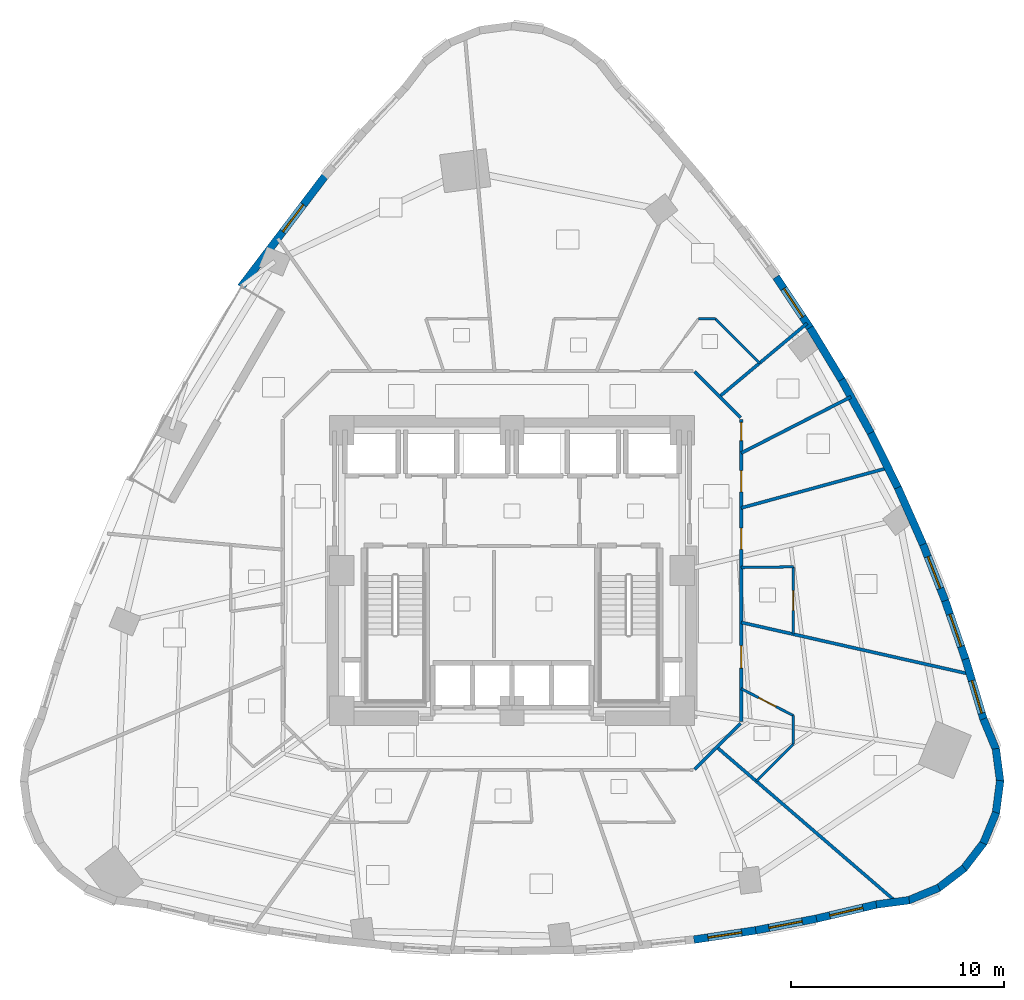
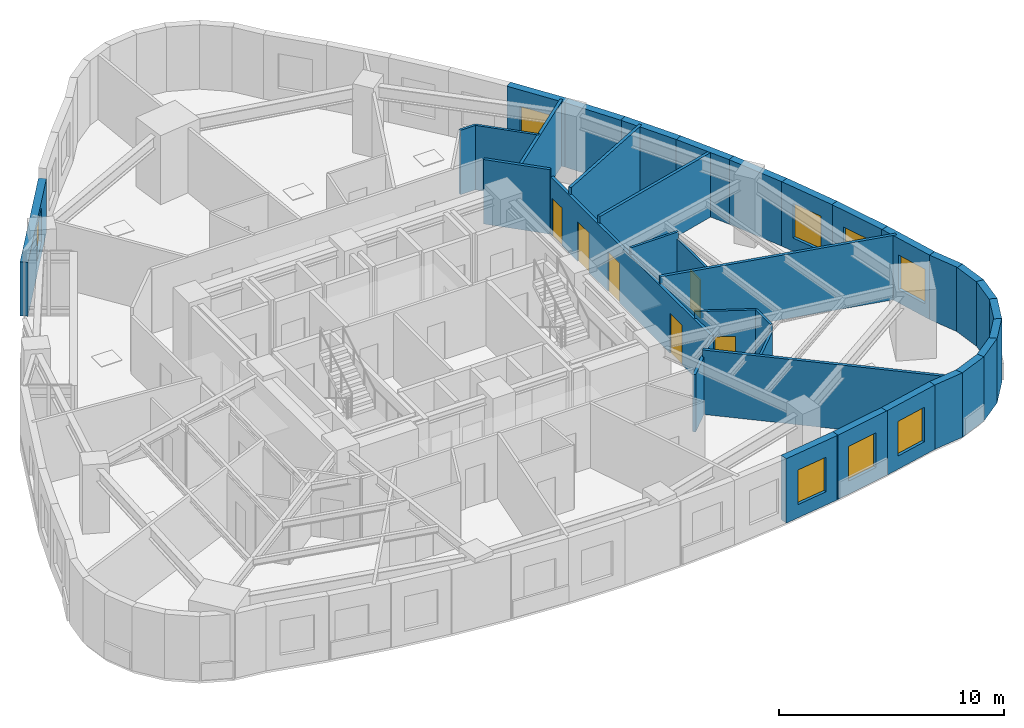
# One storey, part 8 of 12: 35 walls, 8 windows, 6 doors, 14 openings.
"""IFC4 building model written with IfcOpenShell, lengths in metres."""

from ifc_helpers import new_model, si_unit, direction, frame, frame_2d, origin, place, context, subcontext, project, spatial, rectangle, extrude, material, layer, layer_set, type_object, element, fill, save


model = new_model("IFC4")

# Units and contexts
model_context = context("Model", 3, precision=1e-05, world=origin(), true_north=direction((0.0, 1.0)))
body_context = subcontext(model_context, "Body", "Model", "MODEL_VIEW")
ifc_project = project(units=[si_unit("LENGTHUNIT", "METRE"), si_unit("AREAUNIT", "SQUARE_METRE"), si_unit("VOLUMEUNIT", "CUBIC_METRE"), si_unit("PLANEANGLEUNIT", "RADIAN"), si_unit("MASSUNIT", "GRAM", prefix="KILO")], contexts=[model_context])

# Site, building, storey
site_placement = place(None, origin())
site = spatial("IfcSite", under=ifc_project, at=site_placement, CompositionType="ELEMENT")
building_placement = place(site_placement, origin())
building = spatial("IfcBuilding", under=site, at=building_placement, Name="Ndelora Gate Hotel", CompositionType="ELEMENT")
storey_placement = place(building_placement, frame((0.0, 0.0, 38.0)))
storey = spatial("IfcBuildingStorey", under=building, at=storey_placement, Name="L08", CompositionType="ELEMENT", Elevation=38.0)

# Wall, opening, window
ifc_material_1 = material(Name="Clay Brick Masonry", Category="masonry")
ifc_layer_1 = layer(ifc_material_1, 0.360107421875)
ifc_layer_set_1 = layer_set([ifc_layer_1], Name="Clay Brick Masonry")
wall_type_1 = type_object("IfcWallType", Name="WL-BRICK-360", PredefinedType="SOLIDWALL", material=ifc_layer_set_1)
wall_1_placement = place(storey_placement, frame((-12.745361328125, 13.334228515625, 0.0), z_axis=(0.0, 0.0, 1.0), x_axis=(0.604405198851, 0.796677071091, 0.0)))
wall_1 = element("IfcWall", 1, at=wall_1_placement, inside=storey, type_object=wall_type_1, Name="L08 Tower Brick Pier-and-Spandrel Wall TWR-11", PredefinedType="SOLIDWALL", context=body_context, shape_type="SweptSolid", body=[
    extrude(rectangle(XDim=6.56591796875, YDim=0.360107421875, at=frame_2d((3.282958984375, 0.0))), origin(), (0.0, 0.0, 1.0), 2.929931640625),
])
opening_1_placement = place(wall_1_placement, frame((3.260009765625, 0.0, 0.719970703125)))
opening_1 = element("IfcOpeningElement", 2, at=opening_1_placement, cuts=wall_1, Name="Opening W01", PredefinedType="OPENING", context=body_context, shape_type="SweptSolid", body=[
    extrude(rectangle(XDim=1.60009765625, YDim=1.8798828125, at=frame_2d((0.800048828125, 0.93994140625))), frame((0.0, 0.18994140625, 0.0), z_axis=(0.0, -1.0, 0.0), x_axis=(1.0, 0.0, 0.0)), (0.0, 0.0, 1.0), 0.380126953125),
])
ifc_material_2 = material(Name="Insulated Low-E Double Glazing in Bronze Aluminium Frame", Category="aluminium")
window_type_1 = type_object("IfcWindowType", Name="WN-DEEP-1600", PartitioningType="SINGLE_PANEL", PredefinedType="WINDOW", material=ifc_material_2)
window_1_placement = place(opening_1_placement, origin())
window_1 = element("IfcWindow", 3, at=window_1_placement, inside=storey, type_object=window_type_1, Name="L08 Deep-Set Brick-Pier Window W01", OverallHeight=1.8798828125, OverallWidth=1.60009765625, PartitioningType="SINGLE_PANEL", PredefinedType="WINDOW", context=body_context, shape_type="SweptSolid", body=[
    extrude(rectangle(XDim=1.60009765625, YDim=1.8798828125, at=frame_2d((0.800048828125, 0.93994140625))), frame((0.0, 0.030029296875, 0.0), z_axis=(0.0, -1.0, 0.0), x_axis=(1.0, 0.0, 0.0)), (0.0, 0.0, 1.0), 0.06005859375),
])
fill(opening_1, window_1)

wall_2_placement = place(storey_placement, frame((11.460693359375, -16.92236328125, 0.0), z_axis=(0.0, 0.0, 1.0), x_axis=(-0.988982587095, -0.148031896641, 0.0)))
wall_2 = element("IfcWall", 4, at=wall_2_placement, inside=storey, type_object=wall_type_1, Name="L08 Tower Brick Pier-and-Spandrel Wall TWR-36", PredefinedType="SOLIDWALL", context=body_context, shape_type="SweptSolid", body=[
    extrude(rectangle(XDim=2.940673828125, YDim=0.360107421875, at=frame_2d((1.47021484375, 0.0))), origin(), (0.0, 0.0, 1.0), 3.5),
])
opening_2_placement = place(wall_2_placement, frame((0.67041015625, 0.0, 0.719970703125)))
opening_2 = element("IfcOpeningElement", 5, at=opening_2_placement, cuts=wall_2, Name="Opening W01", PredefinedType="OPENING", context=body_context, shape_type="SweptSolid", body=[
    extrude(rectangle(XDim=1.60009765625, YDim=1.8798828125, at=frame_2d((0.800048828125, 0.93994140625))), frame((0.0, 0.18994140625, 0.0), z_axis=(0.0, -1.0, 0.0), x_axis=(1.0, 0.0, 0.0)), (0.0, 0.0, 1.0), 0.380126953125),
])
window_2_placement = place(opening_2_placement, origin())
window_2 = element("IfcWindow", 6, at=window_2_placement, inside=storey, type_object=window_type_1, Name="L08 Deep-Set Brick-Pier Window W01", OverallHeight=1.8798828125, OverallWidth=1.60009765625, PartitioningType="SINGLE_PANEL", PredefinedType="WINDOW", context=body_context, shape_type="SweptSolid", body=[
    extrude(rectangle(XDim=1.60009765625, YDim=1.8798828125, at=frame_2d((0.800048828125, 0.93994140625))), frame((0.0, 0.030029296875, 0.0), z_axis=(0.0, -1.0, 0.0), x_axis=(1.0, 0.0, 0.0)), (0.0, 0.0, 1.0), 0.06005859375),
])
fill(opening_2, window_2)

wall_3_placement = place(storey_placement, frame((14.319580078125, -16.371337890625, 0.0), z_axis=(0.0, 0.0, 1.0), x_axis=(-0.981984682903, -0.188960531711, 0.0)))
wall_3 = element("IfcWall", 7, at=wall_3_placement, inside=storey, type_object=wall_type_1, Name="L08 Tower Brick Pier-and-Spandrel Wall TWR-37", PredefinedType="SOLIDWALL", context=body_context, shape_type="SweptSolid", body=[
    extrude(rectangle(XDim=2.96142578125, YDim=0.360107421875, at=frame_2d((1.480712890625, 0.0))), origin(), (0.0, 0.0, 1.0), 3.5),
])
opening_3_placement = place(wall_3_placement, frame((0.6806640625, 0.0, 0.719970703125)))
opening_3 = element("IfcOpeningElement", 8, at=opening_3_placement, cuts=wall_3, Name="Opening W03", PredefinedType="OPENING", context=body_context, shape_type="SweptSolid", body=[
    extrude(rectangle(XDim=1.60009765625, YDim=1.8798828125, at=frame_2d((0.800048828125, 0.93994140625))), frame((0.0, 0.18994140625, 0.0), z_axis=(0.0, -1.0, 0.0), x_axis=(1.0, 0.0, 0.0)), (0.0, 0.0, 1.0), 0.380126953125),
])
window_type_2 = type_object("IfcWindowType", Name="WN-CORN-2100", PartitioningType="SINGLE_PANEL", PredefinedType="WINDOW", material=ifc_material_2)
window_3_placement = place(opening_3_placement, origin())
window_3 = element("IfcWindow", 9, at=window_3_placement, inside=storey, type_object=window_type_2, Name="L08 Deep-Set Brick-Pier Window W03", OverallHeight=1.8798828125, OverallWidth=1.60009765625, PartitioningType="SINGLE_PANEL", PredefinedType="WINDOW", context=body_context, shape_type="SweptSolid", body=[
    extrude(rectangle(XDim=1.60009765625, YDim=1.8798828125, at=frame_2d((0.800048828125, 0.93994140625))), frame((0.0, 0.030029296875, 0.0), z_axis=(0.0, -1.0, 0.0), x_axis=(1.0, 0.0, 0.0)), (0.0, 0.0, 1.0), 0.06005859375),
])
fill(opening_3, window_3)

wall_4_placement = place(storey_placement, frame((17.178466796875, -15.6982421875, 0.0), z_axis=(0.0, 0.0, 1.0), x_axis=(-0.973460028485, -0.228857101575, 0.0)))
wall_4 = element("IfcWall", 10, at=wall_4_placement, inside=storey, type_object=wall_type_1, Name="L08 Tower Brick Pier-and-Spandrel Wall TWR-38", PredefinedType="SOLIDWALL", context=body_context, shape_type="SweptSolid", body=[
    extrude(rectangle(XDim=2.987060546875, YDim=0.360107421875, at=frame_2d((1.49365234375, 0.0))), origin(), (0.0, 0.0, 1.0), 3.5),
])
opening_4_placement = place(wall_4_placement, frame((0.693603515625, 0.0, 0.719970703125)))
opening_4 = element("IfcOpeningElement", 11, at=opening_4_placement, cuts=wall_4, Name="Opening W01", PredefinedType="OPENING", context=body_context, shape_type="SweptSolid", body=[
    extrude(rectangle(XDim=1.60009765625, YDim=1.8798828125, at=frame_2d((0.800048828125, 0.93994140625))), frame((0.0, 0.18994140625, 0.0), z_axis=(0.0, -1.0, 0.0), x_axis=(1.0, 0.0, 0.0)), (0.0, 0.0, 1.0), 0.380126953125),
])
window_4_placement = place(opening_4_placement, origin())
window_4 = element("IfcWindow", 12, at=window_4_placement, inside=storey, type_object=window_type_1, Name="L08 Deep-Set Brick-Pier Window W01", OverallHeight=1.8798828125, OverallWidth=1.60009765625, PartitioningType="SINGLE_PANEL", PredefinedType="WINDOW", context=body_context, shape_type="SweptSolid", body=[
    extrude(rectangle(XDim=1.60009765625, YDim=1.8798828125, at=frame_2d((0.800048828125, 0.93994140625))), frame((0.0, 0.030029296875, 0.0), z_axis=(0.0, -1.0, 0.0), x_axis=(1.0, 0.0, 0.0)), (0.0, 0.0, 1.0), 0.06005859375),
])
fill(opening_4, window_4)

# Walls
for number, where, z_axis, x_axis, name in (
    (13, (18.68017578125, -15.5029296875, 0.0), (0.0, 0.0, 1.0), (-0.991429840604, -0.130640235609, 0.0), "L08 Tower Brick Pier-and-Spandrel Wall TWR-39"),
    (14, (20.0771484375, -14.917236328125, 0.0), (0.0, 0.0, 1.0), (-0.923864636245, -0.382719393153, 0.0), "L08 Tower Brick Pier-and-Spandrel Wall TWR-40"),
    (15, (21.275146484375, -13.989990234375, 0.0), (0.0, 0.0, 1.0), (-0.793377694402, -0.608729688799, 0.0), "L08 Tower Brick Pier-and-Spandrel Wall TWR-41"),
    (16, (22.1923828125, -12.7841796875, 0.0), (0.0, 0.0, 1.0), (-0.608903307772, -0.793244452729, 0.0), "L08 Tower Brick Pier-and-Spandrel Wall TWR-42"),
):
    element("IfcWall", number, at=place(storey_placement, frame(where, z_axis=z_axis, x_axis=x_axis)), inside=storey, type_object=wall_type_1, Name=name, PredefinedType="SOLIDWALL", context=body_context, shape_type="SweptSolid", body=[
        extrude(rectangle(XDim=1.564208984375, YDim=0.360107421875, at=frame_2d((0.7822265625, 0.0))), origin(), (0.0, 0.0, 1.0), 3.5),
    ])
wall_5_placement = place(storey_placement, frame((22.76611328125, -11.382080078125, 0.0), z_axis=(0.0, 0.0, 1.0), x_axis=(-0.382774588958, -0.923841768945, 0.0)))
element("IfcWall", 17, at=wall_5_placement, inside=storey, type_object=wall_type_1, Name="L08 Tower Brick Pier-and-Spandrel Wall TWR-43", PredefinedType="SOLIDWALL", context=body_context, shape_type="SweptSolid", body=[
    extrude(rectangle(XDim=1.56396484375, YDim=0.360107421875, at=frame_2d((0.781982421875, 0.0))), origin(), (0.0, 0.0, 1.0), 3.5),
])
for number, where, z_axis, x_axis, name in (
    (18, (22.95751953125, -9.879150390625, 0.0), (0.0, 0.0, 1.0), (-0.130640235609, -0.991429840604, 0.0), "L08 Tower Brick Pier-and-Spandrel Wall TWR-44"),
    (19, (22.753173828125, -8.3779296875, 0.0), (0.0, 0.0, 1.0), (0.130640235609, -0.991429840604, 0.0), "L08 Tower Brick Pier-and-Spandrel Wall TWR-45"),
    (20, (22.16748046875, -6.980712890625, 0.0), (0.0, 0.0, 1.0), (0.382719393153, -0.923864636245, 0.0), "L08 Tower Brick Pier-and-Spandrel Wall TWR-46"),
):
    element("IfcWall", number, at=place(storey_placement, frame(where, z_axis=z_axis, x_axis=x_axis)), inside=storey, type_object=wall_type_1, Name=name, PredefinedType="SOLIDWALL", context=body_context, shape_type="SweptSolid", body=[
        extrude(rectangle(XDim=1.564208984375, YDim=0.360107421875, at=frame_2d((0.7822265625, 0.0))), origin(), (0.0, 0.0, 1.0), 3.5),
    ])

# Wall, opening, window
wall_6_placement = place(storey_placement, frame((21.322509765625, -4.16796875, 0.0), z_axis=(0.0, 0.0, 1.0), x_axis=(0.288532480862, -0.957470107882, 0.0)))
wall_6 = element("IfcWall", 21, at=wall_6_placement, inside=storey, type_object=wall_type_1, Name="L08 Tower Brick Pier-and-Spandrel Wall TWR-47", PredefinedType="SOLIDWALL", context=body_context, shape_type="SweptSolid", body=[
    extrude(rectangle(XDim=2.98681640625, YDim=0.360107421875, at=frame_2d((1.493408203125, 0.0))), origin(), (0.0, 0.0, 1.0), 3.5),
])
opening_5_placement = place(wall_6_placement, frame((1.06005859375, 0.0, 0.719970703125)))
opening_5 = element("IfcOpeningElement", 22, at=opening_5_placement, cuts=wall_6, Name="Opening W01", PredefinedType="OPENING", context=body_context, shape_type="SweptSolid", body=[
    extrude(rectangle(XDim=1.60009765625, YDim=1.8798828125, at=frame_2d((0.800048828125, 0.93994140625))), frame((0.0, 0.18994140625, 0.0), z_axis=(0.0, -1.0, 0.0), x_axis=(1.0, 0.0, 0.0)), (0.0, 0.0, 1.0), 0.380126953125),
])
window_5_placement = place(opening_5_placement, origin())
window_5 = element("IfcWindow", 23, at=window_5_placement, inside=storey, type_object=window_type_1, Name="L08 Deep-Set Brick-Pier Window W01", OverallHeight=1.8798828125, OverallWidth=1.60009765625, PartitioningType="SINGLE_PANEL", PredefinedType="WINDOW", context=body_context, shape_type="SweptSolid", body=[
    extrude(rectangle(XDim=1.60009765625, YDim=1.8798828125, at=frame_2d((0.800048828125, 0.93994140625))), frame((0.0, 0.030029296875, 0.0), z_axis=(0.0, -1.0, 0.0), x_axis=(1.0, 0.0, 0.0)), (0.0, 0.0, 1.0), 0.06005859375),
])
fill(opening_5, window_5)

wall_7_placement = place(storey_placement, frame((20.368408203125, -1.417236328125, 0.0), z_axis=(0.0, 0.0, 1.0), x_axis=(0.327385218266, -0.944890956069, 0.0)))
wall_7 = element("IfcWall", 24, at=wall_7_placement, inside=storey, type_object=wall_type_1, Name="L08 Tower Brick Pier-and-Spandrel Wall TWR-48", PredefinedType="SOLIDWALL", context=body_context, shape_type="SweptSolid", body=[
    extrude(rectangle(XDim=2.961181640625, YDim=0.360107421875, at=frame_2d((1.48046875, 0.0))), origin(), (0.0, 0.0, 1.0), 3.5),
])
opening_6_placement = place(wall_7_placement, frame((0.6806640625, 0.0, 0.719970703125)))
opening_6 = element("IfcOpeningElement", 25, at=opening_6_placement, cuts=wall_7, Name="Opening W01", PredefinedType="OPENING", context=body_context, shape_type="SweptSolid", body=[
    extrude(rectangle(XDim=1.60009765625, YDim=1.8798828125, at=frame_2d((0.800048828125, 0.93994140625))), frame((0.0, 0.18994140625, 0.0), z_axis=(0.0, -1.0, 0.0), x_axis=(1.0, 0.0, 0.0)), (0.0, 0.0, 1.0), 0.380126953125),
])
window_6_placement = place(opening_6_placement, origin())
window_6 = element("IfcWindow", 26, at=window_6_placement, inside=storey, type_object=window_type_1, Name="L08 Deep-Set Brick-Pier Window W01", OverallHeight=1.8798828125, OverallWidth=1.60009765625, PartitioningType="SINGLE_PANEL", PredefinedType="WINDOW", context=body_context, shape_type="SweptSolid", body=[
    extrude(rectangle(XDim=1.60009765625, YDim=1.8798828125, at=frame_2d((0.800048828125, 0.93994140625))), frame((0.0, 0.030029296875, 0.0), z_axis=(0.0, -1.0, 0.0), x_axis=(1.0, 0.0, 0.0)), (0.0, 0.0, 1.0), 0.06005859375),
])
fill(opening_6, window_6)

wall_8_placement = place(storey_placement, frame((19.308349609375, 1.272216796875, 0.0), z_axis=(0.0, 0.0, 1.0), x_axis=(0.366361181184, -0.930472721213, 0.0)))
wall_8 = element("IfcWall", 27, at=wall_8_placement, inside=storey, type_object=wall_type_1, Name="L08 Tower Brick Pier-and-Spandrel Wall TWR-49", PredefinedType="SOLIDWALL", context=body_context, shape_type="SweptSolid", body=[
    extrude(rectangle(XDim=2.940673828125, YDim=0.360107421875, at=frame_2d((1.47021484375, 0.0))), origin(), (0.0, 0.0, 1.0), 3.5),
])
opening_7_placement = place(wall_8_placement, frame((0.67041015625, 0.0, 0.719970703125)))
opening_7 = element("IfcOpeningElement", 28, at=opening_7_placement, cuts=wall_8, Name="Opening W03", PredefinedType="OPENING", context=body_context, shape_type="SweptSolid", body=[
    extrude(rectangle(XDim=1.60009765625, YDim=1.8798828125, at=frame_2d((0.800048828125, 0.93994140625))), frame((0.0, 0.18994140625, 0.0), z_axis=(0.0, -1.0, 0.0), x_axis=(1.0, 0.0, 0.0)), (0.0, 0.0, 1.0), 0.380126953125),
])
window_7_placement = place(opening_7_placement, origin())
window_7 = element("IfcWindow", 29, at=window_7_placement, inside=storey, type_object=window_type_2, Name="L08 Deep-Set Brick-Pier Window W03", OverallHeight=1.8798828125, OverallWidth=1.60009765625, PartitioningType="SINGLE_PANEL", PredefinedType="WINDOW", context=body_context, shape_type="SweptSolid", body=[
    extrude(rectangle(XDim=1.60009765625, YDim=1.8798828125, at=frame_2d((0.800048828125, 0.93994140625))), frame((0.0, 0.030029296875, 0.0), z_axis=(0.0, -1.0, 0.0), x_axis=(1.0, 0.0, 0.0)), (0.0, 0.0, 1.0), 0.06005859375),
])
fill(opening_7, window_7)

# Walls
wall_9_placement = place(storey_placement, frame((18.142578125, 3.900634765625, 0.0), z_axis=(0.0, 0.0, 1.0), x_axis=(0.405100583427, -0.914272124319, 0.0)))
element("IfcWall", 30, at=wall_9_placement, inside=storey, type_object=wall_type_1, Name="L08 Tower Brick Pier-and-Spandrel Wall TWR-50", PredefinedType="SOLIDWALL", context=body_context, shape_type="SweptSolid", body=[
    extrude(rectangle(XDim=2.92529296875, YDim=0.360107421875, at=frame_2d((1.462646484375, 0.0))), origin(), (0.0, 0.0, 1.0), 3.5),
])
wall_10_placement = place(storey_placement, frame((16.87060546875, 6.4677734375, 0.0), z_axis=(0.0, 0.0, 1.0), x_axis=(0.44365878996, -0.896195781117, 0.0)))
element("IfcWall", 31, at=wall_10_placement, inside=storey, type_object=wall_type_1, Name="L08 Tower Brick Pier-and-Spandrel Wall TWR-51", PredefinedType="SOLIDWALL", context=body_context, shape_type="SweptSolid", body=[
    extrude(rectangle(XDim=2.914794921875, YDim=0.360107421875, at=frame_2d((1.45751953125, 0.0))), origin(), (0.0, 0.0, 1.0), 3.5),
])
wall_11_placement = place(storey_placement, frame((15.493408203125, 8.973876953125, 0.0), z_axis=(0.0, 0.0, 1.0), x_axis=(0.481319495438, -0.876545231754, 0.0)))
element("IfcWall", 32, at=wall_11_placement, inside=storey, type_object=wall_type_1, Name="L08 Tower Brick Pier-and-Spandrel Wall TWR-52", PredefinedType="SOLIDWALL", context=body_context, shape_type="SweptSolid", body=[
    extrude(rectangle(XDim=2.909423828125, YDim=0.360107421875, at=frame_2d((1.45458984375, 0.0))), origin(), (0.0, 0.0, 1.0), 3.5),
])
wall_12_placement = place(storey_placement, frame((14.009765625, 11.418701171875, 0.0), z_axis=(0.0, 0.0, 1.0), x_axis=(0.518463491903, -0.855099764685, 0.0)))
element("IfcWall", 33, at=wall_12_placement, inside=storey, type_object=wall_type_1, Name="L08 Tower Brick Pier-and-Spandrel Wall TWR-53", PredefinedType="SOLIDWALL", context=body_context, shape_type="SweptSolid", body=[
    extrude(rectangle(XDim=2.90966796875, YDim=0.360107421875, at=frame_2d((1.454833984375, 0.0))), origin(), (0.0, 0.0, 1.0), 3.5),
])

# Wall, opening, window
wall_13_placement = place(storey_placement, frame((12.420654296875, 13.802490234375, 0.0), z_axis=(0.0, 0.0, 1.0), x_axis=(0.554410222631, -0.832243537099, 0.0)))
wall_13 = element("IfcWall", 34, at=wall_13_placement, inside=storey, type_object=wall_type_1, Name="L08 Tower Brick Pier-and-Spandrel Wall TWR-54", PredefinedType="SOLIDWALL", context=body_context, shape_type="SweptSolid", body=[
    extrude(rectangle(XDim=2.914794921875, YDim=0.360107421875, at=frame_2d((1.45751953125, 0.0))), origin(), (0.0, 0.0, 1.0), 3.5),
])
opening_8_placement = place(wall_13_placement, frame((0.657470703125, 0.0, 0.719970703125)))
opening_8 = element("IfcOpeningElement", 35, at=opening_8_placement, cuts=wall_13, Name="Opening W01", PredefinedType="OPENING", context=body_context, shape_type="SweptSolid", body=[
    extrude(rectangle(XDim=1.60009765625, YDim=1.8798828125, at=frame_2d((0.800048828125, 0.93994140625))), frame((0.0, 0.18994140625, 0.0), z_axis=(0.0, -1.0, 0.0), x_axis=(1.0, 0.0, 0.0)), (0.0, 0.0, 1.0), 0.380126953125),
])
window_8_placement = place(opening_8_placement, origin())
window_8 = element("IfcWindow", 36, at=window_8_placement, inside=storey, type_object=window_type_1, Name="L08 Deep-Set Brick-Pier Window W01", OverallHeight=1.8798828125, OverallWidth=1.60009765625, PartitioningType="SINGLE_PANEL", PredefinedType="WINDOW", context=body_context, shape_type="SweptSolid", body=[
    extrude(rectangle(XDim=1.60009765625, YDim=1.8798828125, at=frame_2d((0.800048828125, 0.93994140625))), frame((0.0, 0.030029296875, 0.0), z_axis=(0.0, -1.0, 0.0), x_axis=(1.0, 0.0, 0.0)), (0.0, 0.0, 1.0), 0.06005859375),
])
fill(opening_8, window_8)

# Wall
ifc_material_3 = material(Name="Fire-Rated Gypsum Stud Partition", Category="gypsum")
ifc_layer_2 = layer(ifc_material_3, 0.14990234375)
ifc_layer_set_2 = layer_set([ifc_layer_2], Name="Fire-Rated Gypsum Stud Partition")
wall_type_2 = type_object("IfcWallType", Name="WL-PART-150", PredefinedType="PARTITIONING", material=ifc_layer_set_2)
wall_14_placement = place(storey_placement, frame((10.751708984375, -7.17822265625, 0.0), z_axis=(0.0, 0.0, 1.0), x_axis=(-0.707067066127, -0.707146494016, 0.0)))
element("IfcWall", 37, at=wall_14_placement, inside=storey, type_object=wall_type_2, Name="L08 Interior Wall IW-5", PredefinedType="PARTITIONING", context=body_context, shape_type="SweptSolid", body=[
    extrude(rectangle(XDim=3.07373046875, YDim=0.14990234375, at=frame_2d((1.536865234375, 0.0))), origin(), (0.0, 0.0, 1.0), 3.1201171875),
])

# Wall, openings, doors
wall_15_placement = place(storey_placement, frame((10.780029296875, 7.110107421875, 0.0), z_axis=(0.0, 0.0, 1.0), x_axis=(0.0, -1.0, 0.0)))
wall_15 = element("IfcWall", 38, at=wall_15_placement, inside=storey, type_object=wall_type_2, Name="L08 Interior Wall IW-5", PredefinedType="PARTITIONING", context=body_context, shape_type="SweptSolid", body=[
    extrude(rectangle(XDim=14.22021484375, YDim=0.14990234375, at=frame_2d((7.110107421875, 0.0))), origin(), (0.0, 0.0, 1.0), 3.1201171875),
])
opening_9_placement = place(wall_15_placement, frame((0.139892578125, 0.0, 0.0)))
opening_9 = element("IfcOpeningElement", 39, at=opening_9_placement, cuts=wall_15, Name="Opening D09", PredefinedType="OPENING", context=body_context, shape_type="SweptSolid", body=[
    extrude(rectangle(XDim=0.860107421875, YDim=2.050048828125, at=frame_2d((0.43017578125, 1.02490234375))), frame((0.0, 0.0849609375, 0.0), z_axis=(0.0, -1.0, 0.0), x_axis=(1.0, 0.0, 0.0)), (0.0, 0.0, 1.0), 0.169921875),
])
opening_10_placement = place(wall_15_placement, frame((2.417236328125, 0.0, 0.0)))
opening_10 = element("IfcOpeningElement", 40, at=opening_10_placement, cuts=wall_15, Name="Opening D01", PredefinedType="OPENING", context=body_context, shape_type="SweptSolid", body=[
    extrude(rectangle(XDim=1.0, YDim=2.14990234375, at=frame_2d((0.5, 1.074951171875))), frame((0.0, 0.0849609375, 0.0), z_axis=(0.0, -1.0, 0.0), x_axis=(1.0, 0.0, 0.0)), (0.0, 0.0, 1.0), 0.169921875),
])
opening_11_placement = place(wall_15_placement, frame((5.114990234375, 0.0, 0.0)))
opening_11 = element("IfcOpeningElement", 41, at=opening_11_placement, cuts=wall_15, Name="Opening D01", PredefinedType="OPENING", context=body_context, shape_type="SweptSolid", body=[
    extrude(rectangle(XDim=1.0, YDim=2.14990234375, at=frame_2d((0.5, 1.074951171875))), frame((0.0, 0.0849609375, 0.0), z_axis=(0.0, -1.0, 0.0), x_axis=(1.0, 0.0, 0.0)), (0.0, 0.0, 1.0), 0.169921875),
])
opening_12_placement = place(wall_15_placement, frame((10.638916015625, 0.0, 0.0)))
opening_12 = element("IfcOpeningElement", 42, at=opening_12_placement, cuts=wall_15, Name="Opening D07", PredefinedType="OPENING", context=body_context, shape_type="SweptSolid", body=[
    extrude(rectangle(XDim=1.06005859375, YDim=2.14990234375, at=frame_2d((0.530029296875, 1.074951171875))), frame((0.0, 0.0849609375, 0.0), z_axis=(0.0, -1.0, 0.0), x_axis=(1.0, 0.0, 0.0)), (0.0, 0.0, 1.0), 0.169921875),
])
ifc_material_4 = material(Name="Acoustic Hardwood Guest Entrance Door", Category="wood")
door_type_1 = type_object("IfcDoorType", Name="DR-COR-1000", OperationType="SINGLE_SWING_LEFT", PredefinedType="DOOR", material=ifc_material_4)
door_1_placement = place(opening_10_placement, origin())
door_1 = element("IfcDoor", 43, at=door_1_placement, inside=storey, type_object=door_type_1, Name="L08 Housekeeping and Linen Room Entrance Door", OperationType="SINGLE_SWING_LEFT", OverallHeight=2.14990234375, OverallWidth=1.0, PredefinedType="DOOR", context=body_context, shape_type="SweptSolid", body=[
    extrude(rectangle(XDim=1.0, YDim=2.14990234375, at=frame_2d((0.5, 1.074951171875))), frame((0.0, 0.02490234375, 0.0), z_axis=(0.0, -1.0, 0.0), x_axis=(1.0, 0.0, 0.0)), (0.0, 0.0, 1.0), 0.050048828125),
])
fill(opening_10, door_1)
door_2_placement = place(opening_11_placement, origin())
door_2 = element("IfcDoor", 44, at=door_2_placement, inside=storey, type_object=door_type_1, Name="L08 Twin Guest Room 1110 Entrance Door", OperationType="SINGLE_SWING_RIGHT", OverallHeight=2.14990234375, OverallWidth=1.0, PredefinedType="DOOR", context=body_context, shape_type="SweptSolid", body=[
    extrude(rectangle(XDim=1.0, YDim=2.14990234375, at=frame_2d((0.5, 1.074951171875))), frame((0.0, 0.02490234375, 0.0), z_axis=(0.0, -1.0, 0.0), x_axis=(1.0, 0.0, 0.0)), (0.0, 0.0, 1.0), 0.050048828125),
])
fill(opening_11, door_2)
ifc_material_5 = material(Name="Painted Steel Compact Service Door", Category="steel")
door_type_2 = type_object("IfcDoorType", Name="DR-SER-860", OperationType="SINGLE_SWING_LEFT", PredefinedType="DOOR", material=ifc_material_5)
door_3_placement = place(opening_9_placement, origin())
door_3 = element("IfcDoor", 45, at=door_3_placement, inside=storey, type_object=door_type_2, Name="L08 Accessible WC Entrance Door", OperationType="SINGLE_SWING_RIGHT", OverallHeight=2.050048828125, OverallWidth=0.860107421875, PredefinedType="DOOR", context=body_context, shape_type="SweptSolid", body=[
    extrude(rectangle(XDim=0.860107421875, YDim=2.050048828125, at=frame_2d((0.43017578125, 1.02490234375))), frame((0.0, 0.02490234375, 0.0), z_axis=(0.0, -1.0, 0.0), x_axis=(1.0, 0.0, 0.0)), (0.0, 0.0, 1.0), 0.050048828125),
])
fill(opening_9, door_3)
ifc_material_6 = material(Name="Diplomatic Suite Acoustic Entrance Door", Category="wood")
door_type_3 = type_object("IfcDoorType", Name="DR-SUITE-1060", OperationType="SINGLE_SWING_LEFT", PredefinedType="DOOR", material=ifc_material_6)
door_4_placement = place(opening_12_placement, origin())
door_4 = element("IfcDoor", 46, at=door_4_placement, inside=storey, type_object=door_type_3, Name="L08 Deluxe King Junior Suite 1109 Entrance Door", OperationType="SINGLE_SWING_RIGHT", OverallHeight=2.14990234375, OverallWidth=1.06005859375, PredefinedType="DOOR", context=body_context, shape_type="SweptSolid", body=[
    extrude(rectangle(XDim=1.06005859375, YDim=2.14990234375, at=frame_2d((0.530029296875, 1.074951171875))), frame((0.0, 0.02490234375, 0.0), z_axis=(0.0, -1.0, 0.0), x_axis=(1.0, 0.0, 0.0)), (0.0, 0.0, 1.0), 0.050048828125),
])
fill(opening_12, door_4)

# Walls
wall_16_placement = place(storey_placement, frame((8.578369140625, 9.351806640625, 0.0), z_axis=(0.0, 0.0, 1.0), x_axis=(0.707067066127, -0.707146494016, 0.0)))
element("IfcWall", 47, at=wall_16_placement, inside=storey, type_object=wall_type_2, Name="L08 Interior Wall IW-5", PredefinedType="PARTITIONING", context=body_context, shape_type="SweptSolid", body=[
    extrude(rectangle(XDim=3.07373046875, YDim=0.14990234375, at=frame_2d((1.536865234375, 0.0))), origin(), (0.0, 0.0, 1.0), 3.5),
])
wall_17_placement = place(storey_placement, frame((9.75634765625, 8.173583984375, 0.0), z_axis=(0.0, 0.0, 1.0), x_axis=(0.766556770399, 0.642176547186, 0.0)))
element("IfcWall", 48, at=wall_17_placement, inside=storey, type_object=wall_type_2, Name="L08 Interior Wall IW-5", PredefinedType="PARTITIONING", context=body_context, shape_type="SweptSolid", body=[
    extrude(rectangle(XDim=5.370361328125, YDim=0.14990234375, at=frame_2d((2.68505859375, 0.0))), origin(), (0.0, 0.0, 1.0), 3.5),
])
wall_18_placement = place(storey_placement, frame((9.626708984375, -8.30322265625, 0.0), z_axis=(0.0, 0.0, 1.0), x_axis=(0.757238499589, -0.653138465212, 0.0)))
element("IfcWall", 49, at=wall_18_placement, inside=storey, type_object=wall_type_2, Name="L08 Interior Wall IW-5", PredefinedType="PARTITIONING", context=body_context, shape_type="SweptSolid", body=[
    extrude(rectangle(XDim=11.14697265625, YDim=0.14990234375, at=frame_2d((5.573486328125, 0.0))), origin(), (0.0, 0.0, 1.0), 3.5),
])
wall_19_placement = place(storey_placement, frame((10.780029296875, -2.440185546875, 0.0), z_axis=(0.0, 0.0, 1.0), x_axis=(0.97532517317, -0.220773201681, 0.0)))
element("IfcWall", 50, at=wall_19_placement, inside=storey, type_object=wall_type_2, Name="L08 Interior Wall IW-5", PredefinedType="PARTITIONING", context=body_context, shape_type="SweptSolid", body=[
    extrude(rectangle(XDim=11.027587890625, YDim=0.14990234375, at=frame_2d((5.513671875, 0.0))), origin(), (0.0, 0.0, 1.0), 3.5),
])
wall_20_placement = place(storey_placement, frame((10.780029296875, 2.94287109375, 0.0), z_axis=(0.0, 0.0, 1.0), x_axis=(0.964692920296, 0.263377238063, 0.0)))
element("IfcWall", 51, at=wall_20_placement, inside=storey, type_object=wall_type_2, Name="L08 Interior Wall IW-5", PredefinedType="PARTITIONING", context=body_context, shape_type="SweptSolid", body=[
    extrude(rectangle(XDim=7.1552734375, YDim=0.14990234375, at=frame_2d((3.57763671875, 0.0))), origin(), (0.0, 0.0, 1.0), 3.5),
])
wall_21_placement = place(storey_placement, frame((10.780029296875, 5.5224609375, 0.0), z_axis=(0.0, 0.0, 1.0), x_axis=(0.889994161799, 0.455971920149, 0.0)))
element("IfcWall", 52, at=wall_21_placement, inside=storey, type_object=wall_type_2, Name="L08 Interior Wall IW-5", PredefinedType="PARTITIONING", context=body_context, shape_type="SweptSolid", body=[
    extrude(rectangle(XDim=5.794921875, YDim=0.14990234375, at=frame_2d((2.8974609375, 0.0))), origin(), (0.0, 0.0, 1.0), 3.5),
])
ifc_material_7 = material(Name="Moisture-Resistant Bathroom Tile Partition", Category="gypsum")
ifc_layer_3 = layer(ifc_material_7, 0.1201171875)
ifc_layer_set_3 = layer_set([ifc_layer_3], Name="Moisture-Resistant Bathroom Tile Partition")
wall_type_3 = type_object("IfcWallType", Name="WL-WET-120", PredefinedType="PARTITIONING", material=ifc_layer_set_3)
wall_22_placement = place(storey_placement, frame((8.76806640625, 11.830078125, 0.0), z_axis=(0.0, 0.0, 1.0), x_axis=(1.0, 0.0, 0.0)))
element("IfcWall", 53, at=wall_22_placement, inside=storey, type_object=wall_type_3, Name="L08 Interior Wall IW-7", PredefinedType="PARTITIONING", context=body_context, shape_type="SweptSolid", body=[
    extrude(rectangle(XDim=0.796630859375, YDim=0.1201171875, at=frame_2d((0.3984375, 0.0))), origin(), (0.0, 0.0, 1.0), 3.5),
])
wall_23_placement = place(storey_placement, frame((9.564697265625, 11.830078125, 0.0), z_axis=(0.0, 0.0, 1.0), x_axis=(0.707106781187, -0.707106781187, 0.0)))
element("IfcWall", 54, at=wall_23_placement, inside=storey, type_object=wall_type_3, Name="L08 Interior Wall IW-7", PredefinedType="PARTITIONING", context=body_context, shape_type="SweptSolid", body=[
    extrude(rectangle(XDim=2.9375, YDim=0.1201171875, at=frame_2d((1.46875, 0.0))), origin(), (0.0, 0.0, 1.0), 3.5),
])

# Wall, opening, door
wall_24_placement = place(storey_placement, frame((10.780029296875, -5.558837890625, 0.0), z_axis=(0.0, 0.0, 1.0), x_axis=(0.888777799958, -0.458338327333, 0.0)))
wall_24 = element("IfcWall", 55, at=wall_24_placement, inside=storey, type_object=wall_type_3, Name="L08 Interior Wall IW-7", PredefinedType="PARTITIONING", context=body_context, shape_type="SweptSolid", body=[
    extrude(rectangle(XDim=2.756591796875, YDim=0.1201171875, at=frame_2d((1.37841796875, 0.0))), origin(), (0.0, 0.0, 1.0), 3.5),
])
opening_13_placement = place(wall_24_placement, frame((0.918212890625, 0.0, 0.0)))
opening_13 = element("IfcOpeningElement", 56, at=opening_13_placement, cuts=wall_24, Name="Opening D03", PredefinedType="OPENING", context=body_context, shape_type="SweptSolid", body=[
    extrude(rectangle(XDim=0.919921875, YDim=2.10009765625, at=frame_2d((0.4599609375, 1.050048828125))), frame((0.0, 0.070068359375, 0.0), z_axis=(0.0, -1.0, 0.0), x_axis=(1.0, 0.0, 0.0)), (0.0, 0.0, 1.0), 0.14013671875),
])
ifc_material_8 = material(Name="Moisture-Resistant Hardwood En-Suite Door", Category="wood")
door_type_4 = type_object("IfcDoorType", Name="DR-BATH-920", OperationType="SINGLE_SWING_LEFT", PredefinedType="DOOR", material=ifc_material_8)
door_5_placement = place(opening_13_placement, origin())
door_5 = element("IfcDoor", 57, at=door_5_placement, inside=storey, type_object=door_type_4, Name="L08 En-suite Bathroom 1109 Door", OperationType="SINGLE_SWING_RIGHT", OverallHeight=2.10009765625, OverallWidth=0.919921875, PredefinedType="DOOR", context=body_context, shape_type="SweptSolid", body=[
    extrude(rectangle(XDim=0.919921875, YDim=2.10009765625, at=frame_2d((0.4599609375, 1.050048828125))), frame((0.0, 0.02490234375, 0.0), z_axis=(0.0, -1.0, 0.0), x_axis=(1.0, 0.0, 0.0)), (0.0, 0.0, 1.0), 0.050048828125),
])
fill(opening_13, door_5)

# Walls
wall_25_placement = place(storey_placement, frame((13.22998046875, -6.822265625, 0.0), z_axis=(0.0, 0.0, 1.0), x_axis=(0.0, -1.0, 0.0)))
element("IfcWall", 58, at=wall_25_placement, inside=storey, type_object=wall_type_3, Name="L08 Interior Wall IW-7", PredefinedType="PARTITIONING", context=body_context, shape_type="SweptSolid", body=[
    extrude(rectangle(XDim=1.342529296875, YDim=0.1201171875, at=frame_2d((0.67138671875, 0.0))), origin(), (0.0, 0.0, 1.0), 3.5),
])
wall_26_placement = place(storey_placement, frame((13.22998046875, -8.164794921875, 0.0), z_axis=(0.0, 0.0, 1.0), x_axis=(-0.707106781187, -0.707106781187, 0.0)))
element("IfcWall", 59, at=wall_26_placement, inside=storey, type_object=wall_type_3, Name="L08 Interior Wall IW-7", PredefinedType="PARTITIONING", context=body_context, shape_type="SweptSolid", body=[
    extrude(rectangle(XDim=2.46484375, YDim=0.1201171875, at=frame_2d((1.232421875, 0.0))), origin(), (0.0, 0.0, 1.0), 3.1201171875),
])
wall_27_placement = place(storey_placement, frame((13.22998046875, 0.172119140625, 0.0), z_axis=(0.0, 0.0, 1.0), x_axis=(-0.999916098969, -0.012953571785, 0.0)))
element("IfcWall", 60, at=wall_27_placement, inside=storey, type_object=wall_type_3, Name="L08 Interior Wall IW-7", PredefinedType="PARTITIONING", context=body_context, shape_type="SweptSolid", body=[
    extrude(rectangle(XDim=2.4501953125, YDim=0.1201171875, at=frame_2d((1.22509765625, 0.0))), origin(), (0.0, 0.0, 1.0), 3.5),
])

# Wall, opening, door
wall_28_placement = place(storey_placement, frame((13.22998046875, 0.172119140625, 0.0), z_axis=(0.0, 0.0, 1.0), x_axis=(0.0, -1.0, 0.0)))
wall_28 = element("IfcWall", 61, at=wall_28_placement, inside=storey, type_object=wall_type_3, Name="L08 Interior Wall IW-7", PredefinedType="PARTITIONING", context=body_context, shape_type="SweptSolid", body=[
    extrude(rectangle(XDim=3.166748046875, YDim=0.1201171875, at=frame_2d((1.58349609375, 0.0))), origin(), (0.0, 0.0, 1.0), 3.1201171875),
])
opening_14_placement = place(wall_28_placement, frame((1.12353515625, 0.0, 0.0)))
opening_14 = element("IfcOpeningElement", 62, at=opening_14_placement, cuts=wall_28, Name="Opening D03", PredefinedType="OPENING", context=body_context, shape_type="SweptSolid", body=[
    extrude(rectangle(XDim=0.919921875, YDim=2.10009765625, at=frame_2d((0.4599609375, 1.050048828125))), frame((0.0, 0.070068359375, 0.0), z_axis=(0.0, -1.0, 0.0), x_axis=(1.0, 0.0, 0.0)), (0.0, 0.0, 1.0), 0.14013671875),
])
door_6_placement = place(opening_14_placement, origin())
door_6 = element("IfcDoor", 63, at=door_6_placement, inside=storey, type_object=door_type_4, Name="L08 En-suite Bathroom 1110 Door", OperationType="SINGLE_SWING_LEFT", OverallHeight=2.10009765625, OverallWidth=0.919921875, PredefinedType="DOOR", context=body_context, shape_type="SweptSolid", body=[
    extrude(rectangle(XDim=0.919921875, YDim=2.10009765625, at=frame_2d((0.4599609375, 1.050048828125))), frame((0.0, 0.02490234375, 0.0), z_axis=(0.0, -1.0, 0.0), x_axis=(1.0, 0.0, 0.0)), (0.0, 0.0, 1.0), 0.050048828125),
])
fill(opening_14, door_6)

save(model, "model.ifc")
